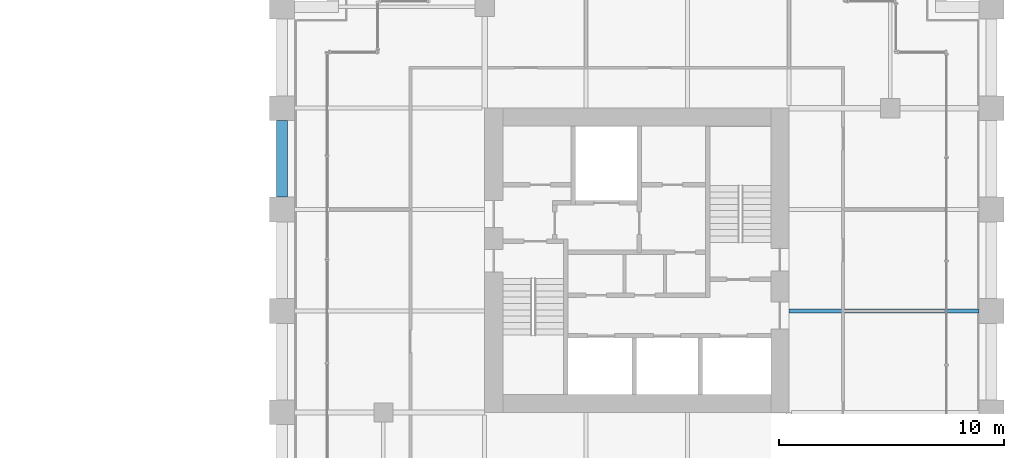
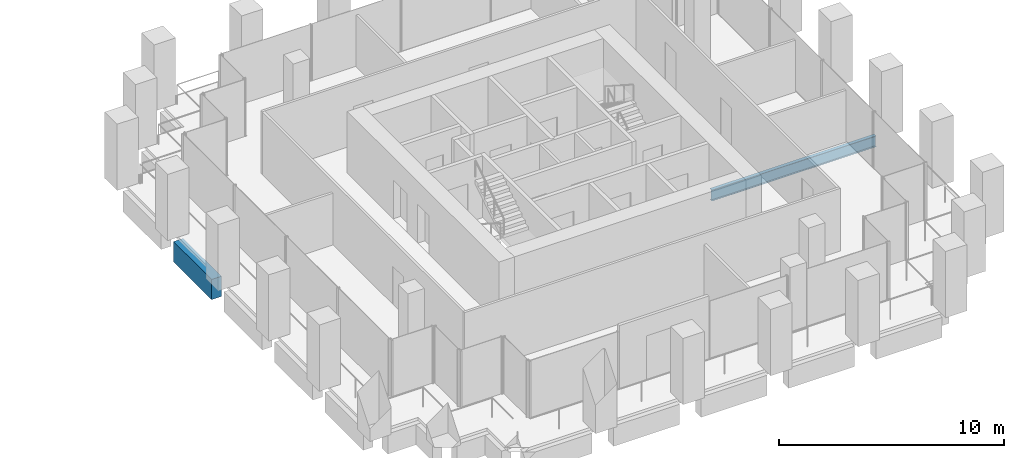
# One storey, part 39 of 54: 2 beams.
"""IFC4 building model written with IfcOpenShell, lengths in metres."""

from ifc_helpers import new_model, si_unit, direction, frame, origin, origin_2d, place, context, subcontext, project, spatial, rectangle, i_section, extrude, material, material_profile, profile_set, type_object, element, save


model = new_model("IFC4")

# Units and contexts
model_context = context("Model", 3, precision=1e-05, world=origin(), true_north=direction((0.0, 1.0)))
body_context = subcontext(model_context, "Body", "Model", "MODEL_VIEW")
ifc_project = project(units=[si_unit("LENGTHUNIT", "METRE"), si_unit("AREAUNIT", "SQUARE_METRE"), si_unit("VOLUMEUNIT", "CUBIC_METRE"), si_unit("PLANEANGLEUNIT", "RADIAN"), si_unit("MASSUNIT", "GRAM", prefix="KILO")], contexts=[model_context])

# Site, building, storey
site_placement = place(None, origin())
site = spatial("IfcSite", under=ifc_project, at=site_placement, CompositionType="ELEMENT")
building_placement = place(site_placement, origin())
building = spatial("IfcBuilding", under=site, at=building_placement, Name="Altepetl Exchange Towers", CompositionType="ELEMENT")
storey_placement = place(building_placement, frame((0.0, 0.0, 58.199951171875)))
storey = spatial("IfcBuildingStorey", under=building, at=storey_placement, Name="L13", CompositionType="ELEMENT", Elevation=58.199951171875)

# Beams
ifc_material_1 = material(Name="Steel S355", Category="steel")
ifc_material_profile_1 = material_profile(ifc_material_1, i_section(OverallWidth=0.177978515625, OverallDepth=0.59912109375, WebThickness=0.010009765625, FlangeThickness=0.0126953125, at=origin_2d()), Name="W24X55")
ifc_profile_set_1 = profile_set([ifc_material_profile_1], Name="Steel S355")
beam_type_1 = type_object("IfcBeamType", Name="Floor beam W24X55", PredefinedType="BEAM", material=ifc_profile_set_1)
beam_1_placement = place(storey_placement, frame((117.0, 40.5, -0.449462890625), z_axis=(1.0, 0.0, 0.0), x_axis=(0.0, 1.0, 0.0)))
element("IfcBeam", 1, at=beam_1_placement, inside=storey, type_object=beam_type_1, Name="bm:B:L13:006", PredefinedType="BEAM", context=body_context, shape_type="SweptSolid", body=[
    extrude(i_section(OverallWidth=0.177978515625, OverallDepth=0.59912109375, WebThickness=0.010009765625, FlangeThickness=0.0126953125, at=origin_2d()), origin(), (0.0, 0.0, 1.0), 8.449951171875),
])
ifc_material_2 = material(Name="Concrete C50/60 precast with cantera rosa facing", Category="concrete")
ifc_material_profile_2 = material_profile(ifc_material_2, rectangle(XDim=0.5, YDim=1.10009765625, at=origin_2d()), Name="500 x 1100")
ifc_profile_set_2 = profile_set([ifc_material_profile_2], Name="Concrete C50/60 precast with cantera rosa facing")
beam_type_2 = type_object("IfcBeamType", Name="Spandrel beam 500x1100 cantera rosa", PredefinedType="SPANDREL", material=ifc_profile_set_2)
beam_2_placement = place(storey_placement, frame((94.5, 48.949951171875, -0.699951171875), z_axis=(0.0, -1.0, 0.0), x_axis=(1.0, 0.0, 0.0)))
element("IfcBeam", 2, at=beam_2_placement, inside=storey, type_object=beam_type_2, Name="sp:B:L13:028", PredefinedType="SPANDREL", context=body_context, shape_type="SweptSolid", body=[
    extrude(rectangle(XDim=0.5, YDim=1.10009765625, at=origin_2d()), origin(), (0.0, 0.0, 1.0), 3.39990234375),
])

save(model, "model.ifc")
